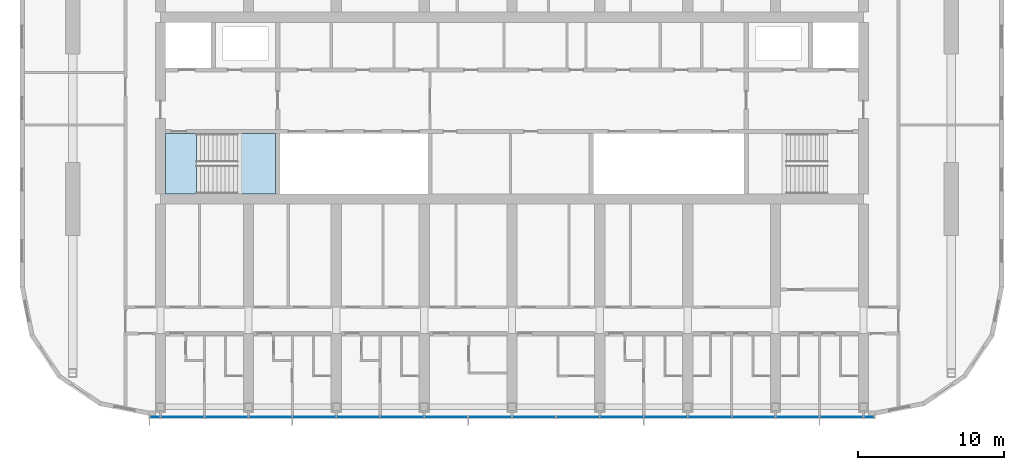
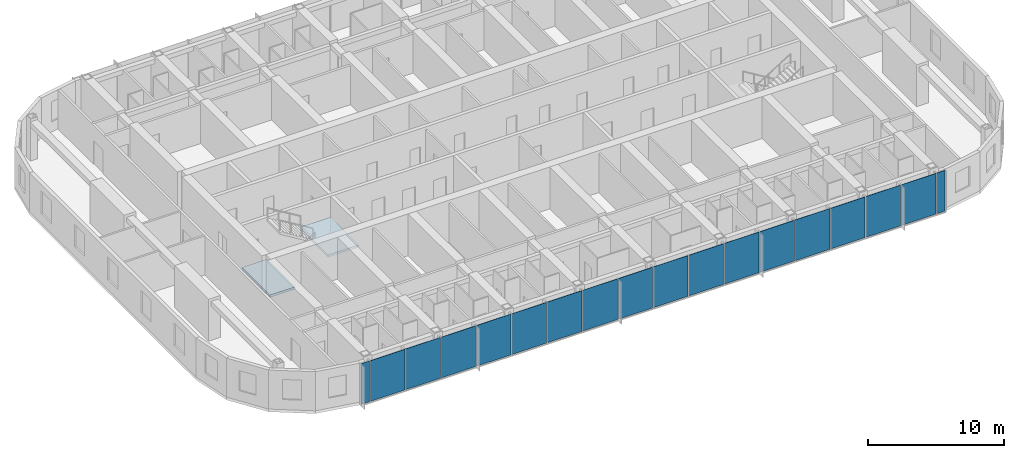
# One storey, part 7 of 24: 18 plates, 2 slabs, 2 elements without a shape of their own.
"""IFC4 building model written with IfcOpenShell, lengths in metres."""

from ifc_helpers import new_model, si_unit, direction, frame, origin, origin_2d, place, context, subcontext, project, spatial, polyline, rectangle, outline, extrude, material, layer, layer_set, type_object, element, aggregate, save


model = new_model("IFC4")

# Units and contexts
model_context = context("Model", 3, precision=1e-05, world=origin(), true_north=direction((0.0, 1.0)))
body_context = subcontext(model_context, "Body", "Model", "MODEL_VIEW")
ifc_project = project(units=[si_unit("LENGTHUNIT", "METRE"), si_unit("AREAUNIT", "SQUARE_METRE"), si_unit("VOLUMEUNIT", "CUBIC_METRE"), si_unit("PLANEANGLEUNIT", "RADIAN"), si_unit("MASSUNIT", "GRAM", prefix="KILO")], contexts=[model_context])

# Site, building, storey
site_placement = place(None, origin())
site = spatial("IfcSite", under=ifc_project, at=site_placement, CompositionType="ELEMENT")
building_placement = place(site_placement, origin())
building = spatial("IfcBuilding", under=site, at=building_placement, Name="Orbita Commons", CompositionType="ELEMENT")
storey_placement = place(building_placement, frame((0.0, 0.0, 239.050048828125)))
storey = spatial("IfcBuildingStorey", under=building, at=storey_placement, Name="L59", CompositionType="ELEMENT", Elevation=239.050048828125)

# Curtain wall, plates
ifc_material_1 = material(Name="Anodised aluminium frame, pale silver", Category="aluminium")
curtain_wall_type = type_object("IfcCurtainWallType", Name="Unitised curtain wall CW-U, full-height vision", PredefinedType="NOTDEFINED", material=ifc_material_1)
curtain_wall_placement = place(storey_placement, origin())
curtain_wall = element("IfcCurtainWall", 1, at=curtain_wall_placement, inside=storey, type_object=curtain_wall_type, Name="Curtain wall south L59", PredefinedType="NOTDEFINED")
ifc_material_2 = material(Name="Clear double glazing", Category="glass")
ifc_layer_1 = layer(ifc_material_2, 0.031982421875)
ifc_layer_set_1 = layer_set([ifc_layer_1], Name="Clear double glazing")
plate_type = type_object("IfcPlateType", Name="Full-height vision panel, clear glazing 32", PredefinedType="CURTAIN_PANEL", material=ifc_layer_set_1)
plate_1_placement = place(storey_placement, frame((17.6201171875, 10.889892578125, -0.14990234375), z_axis=(0.0, 0.0, 1.0), x_axis=(1.0, 0.0, 0.0)))
plate_1 = element("IfcPlate", 2, at=plate_1_placement, type_object=plate_type, Name="Panel 1.1 CW-L59-S", PredefinedType="CURTAIN_PANEL", context=body_context, shape_type="SweptSolid", body=[
    extrude(rectangle(XDim=0.679931640625, YDim=0.031982421875, at=origin_2d()), origin(), (0.0, 0.0, 1.0), 3.64990234375),
])
plate_2_placement = place(storey_placement, frame((19.5, 10.889892578125, -0.14990234375), z_axis=(0.0, 0.0, 1.0), x_axis=(1.0, 0.0, 0.0)))
plate_2 = element("IfcPlate", 3, at=plate_2_placement, type_object=plate_type, Name="Panel 2.1 CW-L59-S", PredefinedType="CURTAIN_PANEL", context=body_context, shape_type="SweptSolid", body=[
    extrude(rectangle(XDim=2.919921875, YDim=0.031982421875, at=origin_2d()), origin(), (0.0, 0.0, 1.0), 3.64990234375),
])
plate_3_placement = place(storey_placement, frame((22.5, 10.889892578125, -0.14990234375), z_axis=(0.0, 0.0, 1.0), x_axis=(1.0, 0.0, 0.0)))
plate_3 = element("IfcPlate", 4, at=plate_3_placement, type_object=plate_type, Name="Panel 3.1 CW-L59-S", PredefinedType="CURTAIN_PANEL", context=body_context, shape_type="SweptSolid", body=[
    extrude(rectangle(XDim=2.919921875, YDim=0.031982421875, at=origin_2d()), origin(), (0.0, 0.0, 1.0), 3.64990234375),
])
plate_4_placement = place(storey_placement, frame((25.5, 10.889892578125, -0.14990234375), z_axis=(0.0, 0.0, 1.0), x_axis=(1.0, 0.0, 0.0)))
plate_4 = element("IfcPlate", 5, at=plate_4_placement, type_object=plate_type, Name="Panel 4.1 CW-L59-S", PredefinedType="CURTAIN_PANEL", context=body_context, shape_type="SweptSolid", body=[
    extrude(rectangle(XDim=2.919921875, YDim=0.031982421875, at=origin_2d()), origin(), (0.0, 0.0, 1.0), 3.64990234375),
])
plate_5_placement = place(storey_placement, frame((28.5, 10.889892578125, -0.14990234375), z_axis=(0.0, 0.0, 1.0), x_axis=(1.0, 0.0, 0.0)))
plate_5 = element("IfcPlate", 6, at=plate_5_placement, type_object=plate_type, Name="Panel 5.1 CW-L59-S", PredefinedType="CURTAIN_PANEL", context=body_context, shape_type="SweptSolid", body=[
    extrude(rectangle(XDim=2.919921875, YDim=0.031982421875, at=origin_2d()), origin(), (0.0, 0.0, 1.0), 3.64990234375),
])
plate_6_placement = place(storey_placement, frame((31.5, 10.889892578125, -0.14990234375), z_axis=(0.0, 0.0, 1.0), x_axis=(1.0, 0.0, 0.0)))
plate_6 = element("IfcPlate", 7, at=plate_6_placement, type_object=plate_type, Name="Panel 6.1 CW-L59-S", PredefinedType="CURTAIN_PANEL", context=body_context, shape_type="SweptSolid", body=[
    extrude(rectangle(XDim=2.919921875, YDim=0.031982421875, at=origin_2d()), origin(), (0.0, 0.0, 1.0), 3.64990234375),
])
plate_7_placement = place(storey_placement, frame((34.5, 10.889892578125, -0.14990234375), z_axis=(0.0, 0.0, 1.0), x_axis=(1.0, 0.0, 0.0)))
plate_7 = element("IfcPlate", 8, at=plate_7_placement, type_object=plate_type, Name="Panel 7.1 CW-L59-S", PredefinedType="CURTAIN_PANEL", context=body_context, shape_type="SweptSolid", body=[
    extrude(rectangle(XDim=2.919921875, YDim=0.031982421875, at=origin_2d()), origin(), (0.0, 0.0, 1.0), 3.64990234375),
])
plate_8_placement = place(storey_placement, frame((37.5, 10.889892578125, -0.14990234375), z_axis=(0.0, 0.0, 1.0), x_axis=(1.0, 0.0, 0.0)))
plate_8 = element("IfcPlate", 9, at=plate_8_placement, type_object=plate_type, Name="Panel 8.1 CW-L59-S", PredefinedType="CURTAIN_PANEL", context=body_context, shape_type="SweptSolid", body=[
    extrude(rectangle(XDim=2.919921875, YDim=0.031982421875, at=origin_2d()), origin(), (0.0, 0.0, 1.0), 3.64990234375),
])
plate_9_placement = place(storey_placement, frame((40.5, 10.889892578125, -0.14990234375), z_axis=(0.0, 0.0, 1.0), x_axis=(1.0, 0.0, 0.0)))
plate_9 = element("IfcPlate", 10, at=plate_9_placement, type_object=plate_type, Name="Panel 9.1 CW-L59-S", PredefinedType="CURTAIN_PANEL", context=body_context, shape_type="SweptSolid", body=[
    extrude(rectangle(XDim=2.919921875, YDim=0.031982421875, at=origin_2d()), origin(), (0.0, 0.0, 1.0), 3.64990234375),
])
plate_10_placement = place(storey_placement, frame((43.5, 10.889892578125, -0.14990234375), z_axis=(0.0, 0.0, 1.0), x_axis=(1.0, 0.0, 0.0)))
plate_10 = element("IfcPlate", 11, at=plate_10_placement, type_object=plate_type, Name="Panel 10.1 CW-L59-S", PredefinedType="CURTAIN_PANEL", context=body_context, shape_type="SweptSolid", body=[
    extrude(rectangle(XDim=2.919921875, YDim=0.031982421875, at=origin_2d()), origin(), (0.0, 0.0, 1.0), 3.64990234375),
])
plate_11_placement = place(storey_placement, frame((46.5, 10.889892578125, -0.14990234375), z_axis=(0.0, 0.0, 1.0), x_axis=(1.0, 0.0, 0.0)))
plate_11 = element("IfcPlate", 12, at=plate_11_placement, type_object=plate_type, Name="Panel 11.1 CW-L59-S", PredefinedType="CURTAIN_PANEL", context=body_context, shape_type="SweptSolid", body=[
    extrude(rectangle(XDim=2.919921875, YDim=0.031982421875, at=origin_2d()), origin(), (0.0, 0.0, 1.0), 3.64990234375),
])
plate_12_placement = place(storey_placement, frame((49.5, 10.889892578125, -0.14990234375), z_axis=(0.0, 0.0, 1.0), x_axis=(1.0, 0.0, 0.0)))
plate_12 = element("IfcPlate", 13, at=plate_12_placement, type_object=plate_type, Name="Panel 12.1 CW-L59-S", PredefinedType="CURTAIN_PANEL", context=body_context, shape_type="SweptSolid", body=[
    extrude(rectangle(XDim=2.919921875, YDim=0.031982421875, at=origin_2d()), origin(), (0.0, 0.0, 1.0), 3.64990234375),
])
plate_13_placement = place(storey_placement, frame((52.5, 10.889892578125, -0.14990234375), z_axis=(0.0, 0.0, 1.0), x_axis=(1.0, 0.0, 0.0)))
plate_13 = element("IfcPlate", 14, at=plate_13_placement, type_object=plate_type, Name="Panel 13.1 CW-L59-S", PredefinedType="CURTAIN_PANEL", context=body_context, shape_type="SweptSolid", body=[
    extrude(rectangle(XDim=2.919921875, YDim=0.031982421875, at=origin_2d()), origin(), (0.0, 0.0, 1.0), 3.64990234375),
])
plate_14_placement = place(storey_placement, frame((55.5, 10.889892578125, -0.14990234375), z_axis=(0.0, 0.0, 1.0), x_axis=(1.0, 0.0, 0.0)))
plate_14 = element("IfcPlate", 15, at=plate_14_placement, type_object=plate_type, Name="Panel 14.1 CW-L59-S", PredefinedType="CURTAIN_PANEL", context=body_context, shape_type="SweptSolid", body=[
    extrude(rectangle(XDim=2.919921875, YDim=0.031982421875, at=origin_2d()), origin(), (0.0, 0.0, 1.0), 3.64990234375),
])
plate_15_placement = place(storey_placement, frame((58.5, 10.889892578125, -0.14990234375), z_axis=(0.0, 0.0, 1.0), x_axis=(1.0, 0.0, 0.0)))
plate_15 = element("IfcPlate", 16, at=plate_15_placement, type_object=plate_type, Name="Panel 15.1 CW-L59-S", PredefinedType="CURTAIN_PANEL", context=body_context, shape_type="SweptSolid", body=[
    extrude(rectangle(XDim=2.919921875, YDim=0.031982421875, at=origin_2d()), origin(), (0.0, 0.0, 1.0), 3.64990234375),
])
plate_16_placement = place(storey_placement, frame((61.5, 10.889892578125, -0.14990234375), z_axis=(0.0, 0.0, 1.0), x_axis=(1.0, 0.0, 0.0)))
plate_16 = element("IfcPlate", 17, at=plate_16_placement, type_object=plate_type, Name="Panel 16.1 CW-L59-S", PredefinedType="CURTAIN_PANEL", context=body_context, shape_type="SweptSolid", body=[
    extrude(rectangle(XDim=2.919921875, YDim=0.031982421875, at=origin_2d()), origin(), (0.0, 0.0, 1.0), 3.64990234375),
])
plate_17_placement = place(storey_placement, frame((64.5, 10.889892578125, -0.14990234375), z_axis=(0.0, 0.0, 1.0), x_axis=(1.0, 0.0, 0.0)))
plate_17 = element("IfcPlate", 18, at=plate_17_placement, type_object=plate_type, Name="Panel 17.1 CW-L59-S", PredefinedType="CURTAIN_PANEL", context=body_context, shape_type="SweptSolid", body=[
    extrude(rectangle(XDim=2.919921875, YDim=0.031982421875, at=origin_2d()), origin(), (0.0, 0.0, 1.0), 3.64990234375),
])
plate_18_placement = place(storey_placement, frame((66.3798828125, 10.889892578125, -0.14990234375), z_axis=(0.0, 0.0, 1.0), x_axis=(1.0, 0.0, 0.0)))
plate_18 = element("IfcPlate", 19, at=plate_18_placement, type_object=plate_type, Name="Panel 18.1 CW-L59-S", PredefinedType="CURTAIN_PANEL", context=body_context, shape_type="SweptSolid", body=[
    extrude(rectangle(XDim=0.679931640625, YDim=0.031982421875, at=origin_2d()), origin(), (0.0, 0.0, 1.0), 3.64990234375),
])
aggregate(curtain_wall, [plate_1, plate_2, plate_3, plate_4, plate_5, plate_6, plate_7, plate_8, plate_9, plate_10, plate_11, plate_12, plate_13, plate_14, plate_15, plate_16, plate_17, plate_18])

# Stair, slabs
ifc_material_3 = material(Name="Precast concrete C40/50", Category="concrete")
stair_type = type_object("IfcStairType", Name="Exit stair S1 2 flights 11 risers 170", PredefinedType="HALF_TURN_STAIR", material=ifc_material_3)
stair_placement = place(storey_placement, origin())
stair = element("IfcStair", 20, at=stair_placement, inside=storey, type_object=stair_type, Name="Exit stair S1 L59", PredefinedType="HALF_TURN_STAIR")
ifc_material_4 = material(Name="Concrete C40/50", Category="concrete")
ifc_layer_2 = layer(ifc_material_4, 0.199951171875)
ifc_layer_set_2 = layer_set([ifc_layer_2], Name="Concrete C40/50")
slab_type = type_object("IfcSlabType", Name="Stair landing 200", PredefinedType="LANDING", material=ifc_layer_set_2)
slab_1_placement = place(storey_placement, frame((0.0, 0.0, -0.199951171875)))
slab_1 = element("IfcSlab", 21, at=slab_1_placement, type_object=slab_type, Name="S1 landing 1", PredefinedType="LANDING", context=body_context, shape_type="SweptSolid", body=[
    extrude(outline(polyline([(18.35009765625, 26.14990234375), (20.449951171875, 26.14990234375), (20.449951171875, 30.25), (18.35009765625, 30.25), (18.35009765625, 26.14990234375)])), origin(), (0.0, 0.0, 1.0), 0.199951171875),
])
slab_2_placement = place(storey_placement, frame((0.0, 0.0, 1.675048828125)))
slab_2 = element("IfcSlab", 22, at=slab_2_placement, type_object=slab_type, Name="S1 landing 2", PredefinedType="LANDING", context=body_context, shape_type="SweptSolid", body=[
    extrude(outline(polyline([(23.25, 26.135009765625), (25.864990234375, 26.135009765625), (25.864990234375, 30.264892578125), (23.25, 30.264892578125), (23.25, 26.135009765625)])), origin(), (0.0, 0.0, 1.0), 0.199951171875),
])
aggregate(stair, [slab_1, slab_2])

save(model, "model.ifc")
